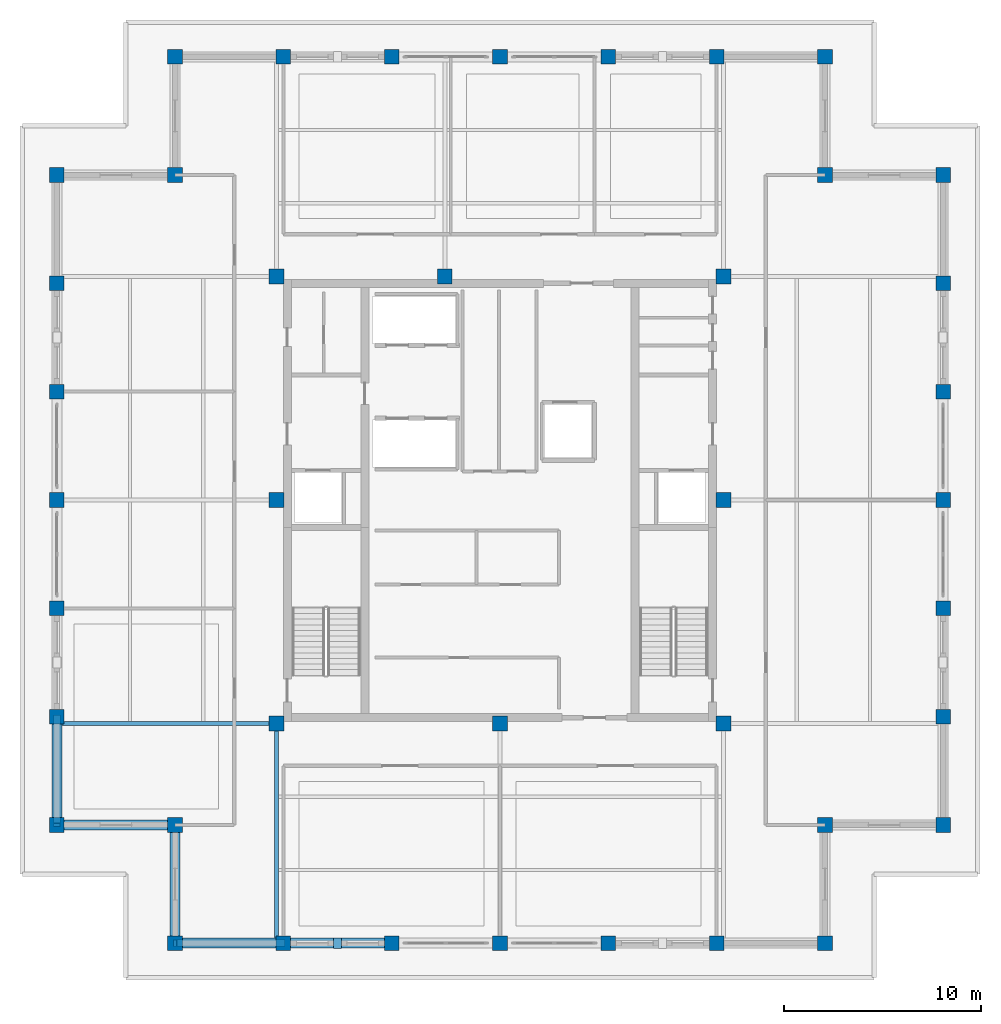
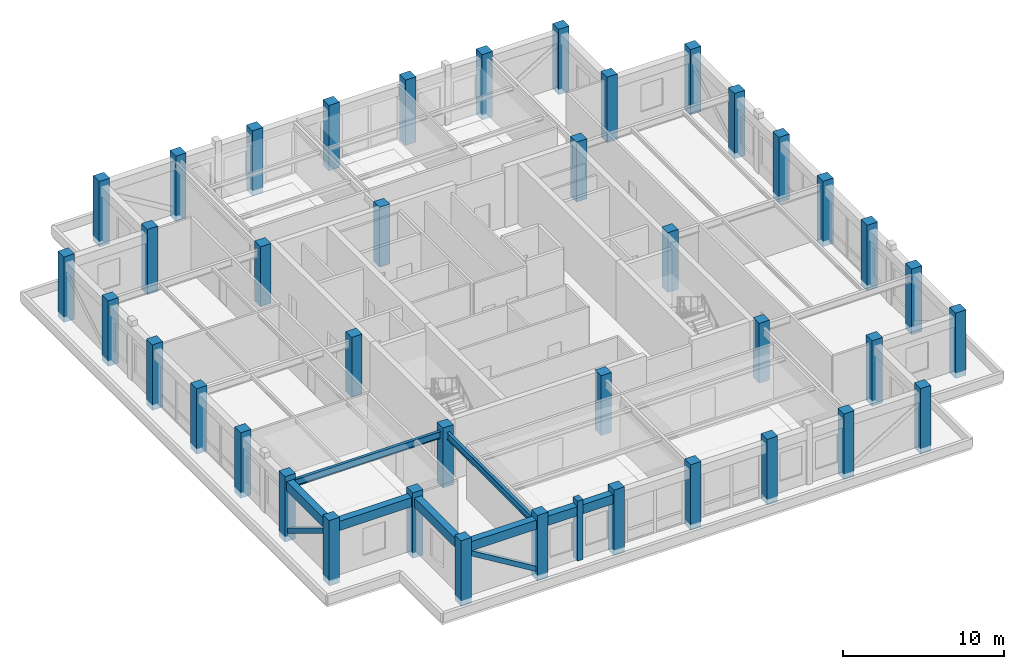
# One storey, part 1 of 13: 40 columns, 7 beams, 3 members.
"""IFC4 building model written with IfcOpenShell, lengths in metres."""

import ifcopenshell
import ifcopenshell.guid

model = None  # the IFC model being written
_history = None  # IfcOwnerHistory: only IFC2X3 demands one
_inside = {}  # id of a spatial element -> (the spatial element, [elements in it])
_under = {}  # id of a project, library or spatial element -> (it, [spatial elements below it])
_declared = {}  # id of a project -> (the project, [libraries it declares])
_typed = {}  # id of a type object -> (the type object, [elements of that type])
_made_of = {}  # id of a material, layer set ... -> (it, [elements and type objects made of it])


def new_model(schema):
    """Start an empty IFC model of exactly this schema.

    Asked for "IFC4X3", IfcOpenShell would pick the latest addendum, in which some entities
    have other attributes; the version numbers below select the first issue.
    IFC2X3 requires an IfcOwnerHistory on every rooted entity: one is made here for all.
    """
    global model, _history
    if schema == "IFC4X3":
        model = ifcopenshell.file(schema_version=(4, 3, 0, 0))
    else:
        model = ifcopenshell.file(schema=schema)
    _inside.clear()
    _under.clear()
    _declared.clear()
    _typed.clear()
    _made_of.clear()
    _history = None
    if model.schema == "IFC2X3":
        org = make("IfcOrganization", Name="unknown")
        user = make(
            "IfcPersonAndOrganization",
            ThePerson=make("IfcPerson", FamilyName="unknown"),
            TheOrganization=org,
        )
        app = make(
            "IfcApplication",
            ApplicationDeveloper=org,
            Version="unknown",
            ApplicationFullName="unknown",
            ApplicationIdentifier="unknown",
        )
        _history = make(
            "IfcOwnerHistory",
            OwningUser=user,
            OwningApplication=app,
            ChangeAction="ADDED",
            CreationDate=0,
        )
    return model


def make(cls, **values):
    """One entity of the class cls with the attributes given. An attribute that is None is left unset."""
    return model.create_entity(
        cls, **{name: value for name, value in values.items() if value is not None}
    )


def rooted(cls, **values):
    """An entity with a GlobalId (a new one), such as an element, a storey or a relation."""
    return make(cls, GlobalId=ifcopenshell.guid.new(), OwnerHistory=_history, **values)


def si_unit(unit_type, name, prefix=None):
    """IfcSIUnit, for example si_unit("LENGTHUNIT", "METRE", prefix="MILLI")."""
    return make("IfcSIUnit", UnitType=unit_type, Prefix=prefix, Name=name)


def assignment(units):
    """IfcUnitAssignment: the units of a project."""
    return None if units is None else make("IfcUnitAssignment", Units=units)


def point(xyz):
    """IfcCartesianPoint."""
    return None if xyz is None else make("IfcCartesianPoint", Coordinates=xyz)


def direction(xyz):
    """IfcDirection."""
    return None if xyz is None else make("IfcDirection", DirectionRatios=xyz)


def frame(location, z_axis=None, x_axis=None):
    """IfcAxis2Placement3D, a coordinate frame: its origin and axes. An axis left out is left unset."""
    return make(
        "IfcAxis2Placement3D",
        Location=point(location),
        Axis=direction(z_axis),
        RefDirection=direction(x_axis),
    )


def frame_2d(location, x_axis=None):
    """IfcAxis2Placement2D, a coordinate frame in the plane: its origin and x axis."""
    return make(
        "IfcAxis2Placement2D", Location=point(location), RefDirection=direction(x_axis)
    )


def origin():
    """The frame at (0, 0, 0) with its axes left unset."""
    return frame((0.0, 0.0, 0.0))


def origin_2d():
    """The frame at (0, 0) in the plane with its x axis left unset."""
    return frame_2d((0.0, 0.0))


def place(relative_to, where):
    """IfcLocalPlacement: puts the frame where relative to a parent placement (None: the world)."""
    return make(
        "IfcLocalPlacement", PlacementRelTo=relative_to, RelativePlacement=where
    )


def context(
    kind, dimensions, precision=None, world=None, true_north=None, identifier=None
):
    """IfcGeometricRepresentationContext, for example the 3D "Model" context."""
    return make(
        "IfcGeometricRepresentationContext",
        ContextIdentifier=identifier,
        ContextType=kind,
        CoordinateSpaceDimension=dimensions,
        Precision=precision,
        WorldCoordinateSystem=world,
        TrueNorth=true_north,
    )


def subcontext(parent, identifier, kind, view, scale=None):
    """IfcGeometricRepresentationSubContext, for example "Body" below "Model"."""
    return make(
        "IfcGeometricRepresentationSubContext",
        ContextIdentifier=identifier,
        ContextType=kind,
        ParentContext=parent,
        TargetScale=scale,
        TargetView=view,
    )


def project(units=None, contexts=None):
    """IfcProject with its units and contexts."""
    return rooted(
        "IfcProject",
        Name="project",
        RepresentationContexts=contexts,
        UnitsInContext=assignment(units),
    )


def spatial(cls, under=None, at=None, **own):
    """A site, building, storey or space (cls), placed at a placement, below another one or the project."""
    s = rooted(cls, ObjectPlacement=at, **own)
    if under is not None:
        _under.setdefault(under.id(), (under, []))[1].append(s)
    return s


def profile(cls, at=None, kind="AREA", **sizes):
    """A parametric profile (cls). Its sizes go by their IFC names, for example OverallWidth=200.0."""
    return make(cls, ProfileType=kind, Position=at, **sizes)


def rectangle(**sizes):
    """IfcRectangleProfileDef."""
    return profile("IfcRectangleProfileDef", **sizes)


def hollow_rectangle(**sizes):
    """IfcRectangleHollowProfileDef."""
    return profile("IfcRectangleHollowProfileDef", **sizes)


def i_section(**sizes):
    """IfcIShapeProfileDef."""
    return profile("IfcIShapeProfileDef", **sizes)


def extrude(swept, where, along, depth):
    """IfcExtrudedAreaSolid: the profile swept, set in the frame where, extruded along a direction by depth."""
    return make(
        "IfcExtrudedAreaSolid",
        SweptArea=swept,
        Position=where,
        ExtrudedDirection=direction(along),
        Depth=depth,
    )


def shape(context_of_items, identifier, shape_type, items):
    """IfcShapeRepresentation: the items that make up one representation, for example the "Body"."""
    return make(
        "IfcShapeRepresentation",
        ContextOfItems=context_of_items,
        RepresentationIdentifier=identifier,
        RepresentationType=shape_type,
        Items=items,
    )


def material(Name=None, Category=None):
    """IfcMaterial."""
    return make("IfcMaterial", Name=Name, Category=Category)


def material_profile(
    of_material, cross_section, Name=None, Category=None, Priority=None
):
    """IfcMaterialProfile: a cross section and its material."""
    return make(
        "IfcMaterialProfile",
        Name=Name,
        Material=of_material,
        Profile=cross_section,
        Priority=Priority,
        Category=Category,
    )


def profile_set(profiles, Name=None, composite=None):
    """IfcMaterialProfileSet."""
    return make(
        "IfcMaterialProfileSet",
        Name=Name,
        MaterialProfiles=profiles,
        CompositeProfile=composite,
    )


def made_of(thing, what):
    """Note that an element or type object is made of a material, layer set ...; save() writes the relation."""
    if what is not None:
        _made_of.setdefault(what.id(), (what, []))[1].append(thing)
    return thing


def type_object(cls, material=None, **own):
    """A type object (cls), such as IfcWallType, which elements share."""
    return made_of(rooted(cls, **own), material)


def element(
    cls,
    number,
    at=None,
    inside=None,
    cuts=None,
    type_object=None,
    material=None,
    context=None,
    identifier="Body",
    shape_type=None,
    held_by="IfcProductDefinitionShape",
    body=None,
    shapes=None,
    **own,
):
    """One element of the class cls, such as IfcWall. Its Tag is "e" and its number.

    at: its placement. inside: the storey or other place that contains it. cuts: it is an
    opening in that element (IfcRelVoidsElement). A single representation is given by context,
    identifier, shape_type and body (its items); several are given by shapes. held_by: the class
    of the entity that holds the representations. save() writes the other relations.
    """
    e = rooted(cls, Tag="e%d" % number, ObjectPlacement=at, **own)
    if body is not None:
        shapes = [shape(context, identifier, shape_type, body)]
    if shapes is not None:
        e.Representation = make(held_by, Representations=shapes)
    if inside is not None:
        _inside.setdefault(inside.id(), (inside, []))[1].append(e)
    if cuts is not None:
        rooted(
            "IfcRelVoidsElement", RelatingBuildingElement=cuts, RelatedOpeningElement=e
        )
    if type_object is not None:
        _typed.setdefault(type_object.id(), (type_object, []))[1].append(e)
    return made_of(e, material)


def aggregate(whole, parts):
    """IfcRelAggregates: a whole, such as a stair, and the parts it consists of."""
    return rooted("IfcRelAggregates", RelatingObject=whole, RelatedObjects=parts)


def save(model, path):
    """Write the relations noted so far, then the file.

    IfcRelAggregates (storeys below a building ...), IfcRelContainedInSpatialStructure (elements
    in a storey), IfcRelDefinesByType, IfcRelAssociatesMaterial and IfcRelDeclares: one each for
    every whole, place, type object, material and project.
    """
    for whole, parts in _under.values():
        aggregate(whole, parts)
    for where, things in _inside.values():
        rooted(
            "IfcRelContainedInSpatialStructure",
            RelatedElements=things,
            RelatingStructure=where,
        )
    for kind, things in _typed.values():
        rooted("IfcRelDefinesByType", RelatedObjects=things, RelatingType=kind)
    for what, things in _made_of.values():
        rooted("IfcRelAssociatesMaterial", RelatedObjects=things, RelatingMaterial=what)
    for by, libraries in _declared.values():
        rooted("IfcRelDeclares", RelatingContext=by, RelatedDefinitions=libraries)
    model.write(path)


model = new_model("IFC4")

# Units and contexts
model_context = context("Model", 3, precision=1e-05, world=origin(), true_north=direction((0.0, 1.0)))
body_context = subcontext(model_context, "Body", "Model", "MODEL_VIEW")
ifc_project = project(units=[si_unit("LENGTHUNIT", "METRE"), si_unit("AREAUNIT", "SQUARE_METRE"), si_unit("VOLUMEUNIT", "CUBIC_METRE"), si_unit("PLANEANGLEUNIT", "RADIAN"), si_unit("MASSUNIT", "GRAM", prefix="KILO")], contexts=[model_context])

# Site, building, storey
site_placement = place(None, origin())
site = spatial("IfcSite", under=ifc_project, at=site_placement, CompositionType="ELEMENT")
building_placement = place(site_placement, origin())
building = spatial("IfcBuilding", under=site, at=building_placement, Name="Nhamokura Convention Tower", CompositionType="ELEMENT")
storey_placement = place(building_placement, frame((0.0, 0.0, 257.60009765625)))
storey = spatial("IfcBuildingStorey", under=building, at=storey_placement, Name="L63", CompositionType="ELEMENT", Elevation=257.60009765625)

# Columns
ifc_material_1 = material(Name="Concrete C50/60", Category="concrete")
ifc_material_profile_1 = material_profile(ifc_material_1, rectangle(XDim=0.75, YDim=0.75, at=origin_2d()))
ifc_profile_set_1 = profile_set([ifc_material_profile_1], Name="Concrete C50/60")
column_type = type_object("IfcColumnType", Name="TubeColumn_Z4_750", PredefinedType="COLUMN", material=ifc_profile_set_1)
for number, where, z_axis, x_axis, name in (
    (1, (20.64990234375, 20.64990234375, 0.0), (0.0, 0.0, 1.0), (1.0, 0.0, 0.0), "L63 Core Column CC-SW"),
    (2, (32.0, 20.64990234375, 0.0), (0.0, 0.0, 1.0), (1.0, 0.0, 0.0), "L63 Core Column CC-S"),
    (3, (43.35009765625, 20.64990234375, 0.0), (0.0, 0.0, 1.0), (1.0, 0.0, 0.0), "L63 Core Column CC-SE"),
    (4, (43.35009765625, 32.0, 0.0), (0.0, 0.0, 1.0), (1.0, 0.0, 0.0), "L63 Core Column CC-E"),
    (5, (43.35009765625, 43.35009765625, 0.0), (0.0, 0.0, 1.0), (1.0, 0.0, 0.0), "L63 Core Column CC-NE"),
    (6, (29.199951171875, 43.35009765625, 0.0), (0.0, 0.0, 1.0), (1.0, 0.0, 0.0), "L63 Core Column CC-N"),
    (7, (20.64990234375, 43.35009765625, 0.0), (0.0, 0.0, 1.0), (1.0, 0.0, 0.0), "L63 Core Column CC-NW"),
    (8, (20.64990234375, 32.0, 0.0), (0.0, 0.0, 1.0), (1.0, 0.0, 0.0), "L63 Core Column CC-W"),
):
    element("IfcColumn", number, at=place(storey_placement, frame(where, z_axis=z_axis, x_axis=x_axis)), inside=storey, type_object=column_type, Name=name, PredefinedType="COLUMN", context=body_context, shape_type="SweptSolid", body=[
        extrude(rectangle(XDim=0.75, YDim=0.75, at=origin_2d()), origin(), (0.0, 0.0, 1.0), 4.5498046875),
    ])
for number, where, z_axis, x_axis, name in (
    (9, (15.5, 9.5, -0.420166015625), (0.0, 0.0, 1.0), (1.0, 0.0, 0.0), "L63 Perimeter Tube Column SW1"),
    (10, (15.5, 15.5, -0.420166015625), (0.0, 0.0, 1.0), (1.0, 0.0, 0.0), "L63 Perimeter Tube Column SW0"),
    (11, (9.5, 15.5, -0.420166015625), (0.0, 0.0, 1.0), (1.0, 0.0, 0.0), "L63 Perimeter Tube Column SW2"),
    (12, (48.5, 9.5, -0.420166015625), (0.0, 0.0, 1.0), (1.0, 0.0, 0.0), "L63 Perimeter Tube Column SE1"),
    (13, (48.5, 15.5, -0.420166015625), (0.0, 0.0, 1.0), (1.0, 0.0, 0.0), "L63 Perimeter Tube Column SE0"),
    (14, (54.5, 15.5, -0.420166015625), (0.0, 0.0, 1.0), (1.0, 0.0, 0.0), "L63 Perimeter Tube Column SE2"),
    (15, (54.5, 48.5, -0.420166015625), (0.0, 0.0, 1.0), (1.0, 0.0, 0.0), "L63 Perimeter Tube Column NE1"),
    (16, (48.5, 48.5, -0.420166015625), (0.0, 0.0, 1.0), (1.0, 0.0, 0.0), "L63 Perimeter Tube Column NE0"),
    (17, (48.5, 54.5, -0.420166015625), (0.0, 0.0, 1.0), (1.0, 0.0, 0.0), "L63 Perimeter Tube Column NE2"),
    (18, (15.5, 54.5, -0.420166015625), (0.0, 0.0, 1.0), (1.0, 0.0, 0.0), "L63 Perimeter Tube Column NW1"),
    (19, (15.5, 48.5, -0.420166015625), (0.0, 0.0, 1.0), (1.0, 0.0, 0.0), "L63 Perimeter Tube Column NW0"),
    (20, (9.5, 48.5, -0.420166015625), (0.0, 0.0, 1.0), (1.0, 0.0, 0.0), "L63 Perimeter Tube Column NW2"),
    (21, (21.0, 9.5, -0.420166015625), (0.0, 0.0, 1.0), (1.0, 0.0, 0.0), "L63 Perimeter Tube Column S1"),
    (22, (21.0, 54.5, -0.420166015625), (0.0, 0.0, 1.0), (1.0, 0.0, 0.0), "L63 Perimeter Tube Column N1"),
    (23, (9.5, 21.0, -0.420166015625), (0.0, 0.0, 1.0), (1.0, 0.0, 0.0), "L63 Perimeter Tube Column W1"),
    (24, (54.5, 21.0, -0.420166015625), (0.0, 0.0, 1.0), (1.0, 0.0, 0.0), "L63 Perimeter Tube Column E1"),
    (25, (26.5, 9.5, -0.420166015625), (0.0, 0.0, 1.0), (1.0, 0.0, 0.0), "L63 Perimeter Tube Column S2"),
    (26, (26.5, 54.5, -0.420166015625), (0.0, 0.0, 1.0), (1.0, 0.0, 0.0), "L63 Perimeter Tube Column N2"),
    (27, (9.5, 26.5, -0.420166015625), (0.0, 0.0, 1.0), (1.0, 0.0, 0.0), "L63 Perimeter Tube Column W2"),
    (28, (54.5, 26.5, -0.420166015625), (0.0, 0.0, 1.0), (1.0, 0.0, 0.0), "L63 Perimeter Tube Column E2"),
    (29, (32.0, 9.5, -0.420166015625), (0.0, 0.0, 1.0), (1.0, 0.0, 0.0), "L63 Perimeter Tube Column S3"),
    (30, (32.0, 54.5, -0.420166015625), (0.0, 0.0, 1.0), (1.0, 0.0, 0.0), "L63 Perimeter Tube Column N3"),
    (31, (9.5, 32.0, -0.420166015625), (0.0, 0.0, 1.0), (1.0, 0.0, 0.0), "L63 Perimeter Tube Column W3"),
    (32, (54.5, 32.0, -0.420166015625), (0.0, 0.0, 1.0), (1.0, 0.0, 0.0), "L63 Perimeter Tube Column E3"),
    (33, (37.5, 9.5, -0.420166015625), (0.0, 0.0, 1.0), (1.0, 0.0, 0.0), "L63 Perimeter Tube Column S4"),
    (34, (37.5, 54.5, -0.420166015625), (0.0, 0.0, 1.0), (1.0, 0.0, 0.0), "L63 Perimeter Tube Column N4"),
    (35, (9.5, 37.5, -0.420166015625), (0.0, 0.0, 1.0), (1.0, 0.0, 0.0), "L63 Perimeter Tube Column W4"),
    (36, (54.5, 37.5, -0.420166015625), (0.0, 0.0, 1.0), (1.0, 0.0, 0.0), "L63 Perimeter Tube Column E4"),
    (37, (43.0, 9.5, -0.420166015625), (0.0, 0.0, 1.0), (1.0, 0.0, 0.0), "L63 Perimeter Tube Column S5"),
    (38, (43.0, 54.5, -0.420166015625), (0.0, 0.0, 1.0), (1.0, 0.0, 0.0), "L63 Perimeter Tube Column N5"),
    (39, (9.5, 43.0, -0.420166015625), (0.0, 0.0, 1.0), (1.0, 0.0, 0.0), "L63 Perimeter Tube Column W5"),
    (40, (54.5, 43.0, -0.420166015625), (0.0, 0.0, 1.0), (1.0, 0.0, 0.0), "L63 Perimeter Tube Column E5"),
):
    element("IfcColumn", number, at=place(storey_placement, frame(where, z_axis=z_axis, x_axis=x_axis)), inside=storey, type_object=column_type, Name=name, PredefinedType="COLUMN", context=body_context, shape_type="SweptSolid", body=[
        extrude(rectangle(XDim=0.75, YDim=0.75, at=origin_2d()), origin(), (0.0, 0.0, 1.0), 4.969970703125),
    ])

# Member
ifc_material_2 = material(Name="Bronze-pigmented precast concrete C45/55", Category="concrete")
ifc_material_profile_2 = material_profile(ifc_material_2, rectangle(XDim=0.39990234375, YDim=0.550048828125, at=origin_2d()))
ifc_profile_set_2 = profile_set([ifc_material_profile_2], Name="Bronze-pigmented precast concrete C45/55")
member_type_1 = type_object("IfcMemberType", Name="BronzePilaster_550", PredefinedType="USERDEFINED", material=ifc_profile_set_2)
member_placement = place(storey_placement, frame((23.75, 9.5, 0.0), z_axis=(0.0, 0.0, 1.0), x_axis=(1.0, 0.0, 0.0)))
element("IfcMember", 41, at=member_placement, inside=storey, type_object=member_type_1, Name="L63 Engaged Frame Pilaster SOUTH 1", ObjectType="PILASTER_TRIM", PredefinedType="USERDEFINED", context=body_context, shape_type="SweptSolid", body=[
    extrude(rectangle(XDim=0.39990234375, YDim=0.550048828125, at=origin_2d()), origin(), (0.0, 0.0, 1.0), 4.5498046875),
])

# Beams
ifc_material_3 = material(Name="Steel ASTM A992 Gr 50", Category="steel")
ifc_material_profile_3 = material_profile(ifc_material_3, i_section(OverallWidth=0.208984375, OverallDepth=0.532958984375, WebThickness=0.01025390625, FlangeThickness=0.015625, at=origin_2d()))
ifc_profile_set_3 = profile_set([ifc_material_profile_3], Name="Steel ASTM A992 Gr 50")
beam_type_1 = type_object("IfcBeamType", Name="PrimaryGirder_W530X92", PredefinedType="BEAM", material=ifc_profile_set_3)
for number, where, z_axis, x_axis, name in (
    (42, (20.64990234375, 9.5, 3.86328125), (0.0, 1.0, 0.0), (-1.0, 0.0, 0.0), "L63 Primary Floor Girder PG-S1"),
    (43, (9.5, 20.64990234375, 3.86328125), (1.0, 0.0, 0.0), (0.0, 1.0, 0.0), "L63 Primary Floor Girder PG-W1"),
):
    element("IfcBeam", number, at=place(storey_placement, frame(where, z_axis=z_axis, x_axis=x_axis)), inside=storey, type_object=beam_type_1, Name=name, PredefinedType="BEAM", context=body_context, shape_type="SweptSolid", body=[
        extrude(i_section(OverallWidth=0.208984375, OverallDepth=0.532958984375, WebThickness=0.01025390625, FlangeThickness=0.015625, at=origin_2d()), origin(), (0.0, 0.0, 1.0), 11.14990234375),
    ])

# Members
ifc_material_4 = material(Name="Steel ASTM A572 Gr 50", Category="steel")
ifc_material_profile_4 = material_profile(ifc_material_4, hollow_rectangle(XDim=0.35009765625, YDim=0.35009765625, WallThickness=0.01611328125, at=origin_2d()))
ifc_profile_set_4 = profile_set([ifc_material_profile_4], Name="Steel ASTM A572 Gr 50")
member_type_2 = type_object("IfcMemberType", Name="TubeBrace_HSS350", PredefinedType="BRACE", material=ifc_profile_set_4)
for number, where, z_axis, x_axis, name in (
    (44, (21.0, 9.5, 0.14990234375), (-0.855422163268, 0.0, 0.517931387916), (0.0, -1.0, 0.0), "L63 Perimeter Tube Brace SOUTH Bay 0"),
    (45, (9.5, 21.0, 0.14990234375), (0.0, -0.855422163268, 0.517931387916), (1.0, 0.0, 0.0), "L63 Perimeter Tube Brace WEST Bay 0"),
):
    element("IfcMember", number, at=place(storey_placement, frame(where, z_axis=z_axis, x_axis=x_axis)), inside=storey, type_object=member_type_2, Name=name, PredefinedType="BRACE", context=body_context, shape_type="SweptSolid", body=[
        extrude(hollow_rectangle(XDim=0.35009765625, YDim=0.35009765625, WallThickness=0.01611328125, at=origin_2d()), origin(), (0.0, 0.0, 1.0), 6.4296875),
    ])

# Beams
ifc_material_5 = material(Name="Concrete C50/60", Category="concrete")
ifc_material_profile_5 = material_profile(ifc_material_5, rectangle(XDim=0.5, YDim=0.699951171875, at=origin_2d()))
ifc_profile_set_5 = profile_set([ifc_material_profile_5], Name="Concrete C50/60")
beam_type_2 = type_object("IfcBeamType", Name="TubeSpandrel_700", PredefinedType="SPANDREL", material=ifc_profile_set_5)
for number, where, z_axis, x_axis, name in (
    (46, (15.5, 9.5, 3.77978515625), (1.0, 0.0, 0.0), (0.0, 1.0, 0.0), "L63 Perimeter Spandrel SOUTH 1"),
    (47, (21.0, 9.5, 3.77978515625), (1.0, 0.0, 0.0), (0.0, 1.0, 0.0), "L63 Perimeter Spandrel SOUTH 2"),
    (48, (9.5, 15.5, 3.77978515625), (0.0, 1.0, 0.0), (-1.0, 0.0, 0.0), "L63 Perimeter Spandrel WEST 1"),
):
    element("IfcBeam", number, at=place(storey_placement, frame(where, z_axis=z_axis, x_axis=x_axis)), inside=storey, type_object=beam_type_2, Name=name, PredefinedType="SPANDREL", context=body_context, shape_type="SweptSolid", body=[
        extrude(rectangle(XDim=0.5, YDim=0.699951171875, at=origin_2d()), origin(), (0.0, 0.0, 1.0), 5.5),
    ])
for number, where, z_axis, x_axis, name in (
    (49, (15.5, 9.5, 3.77978515625), (0.0, 1.0, 0.0), (-1.0, 0.0, 0.0), "L63 Notch Spandrel SW1"),
    (50, (15.5, 15.5, 3.77978515625), (-1.0, 0.0, 0.0), (0.0, -1.0, 0.0), "L63 Notch Spandrel SW2"),
):
    element("IfcBeam", number, at=place(storey_placement, frame(where, z_axis=z_axis, x_axis=x_axis)), inside=storey, type_object=beam_type_2, Name=name, PredefinedType="SPANDREL", context=body_context, shape_type="SweptSolid", body=[
        extrude(rectangle(XDim=0.5, YDim=0.699951171875, at=origin_2d()), origin(), (0.0, 0.0, 1.0), 6.0),
    ])

save(model, "model.ifc")
